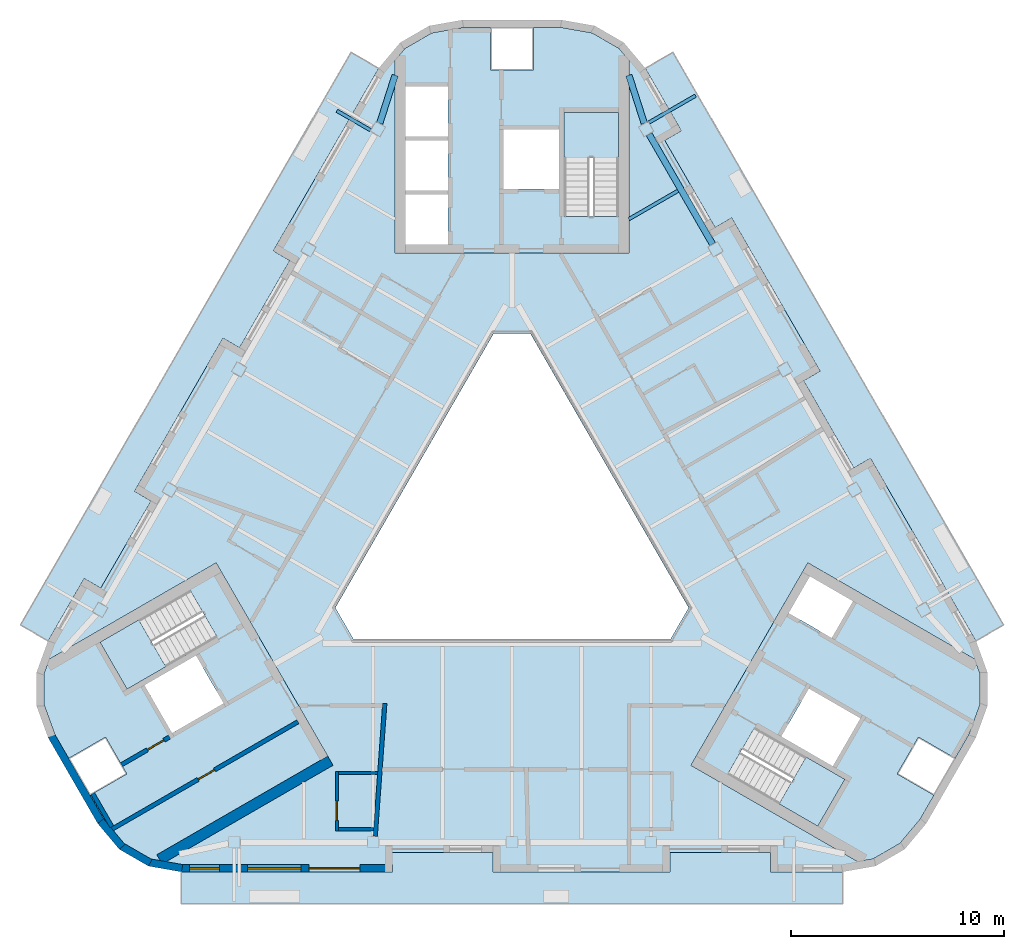
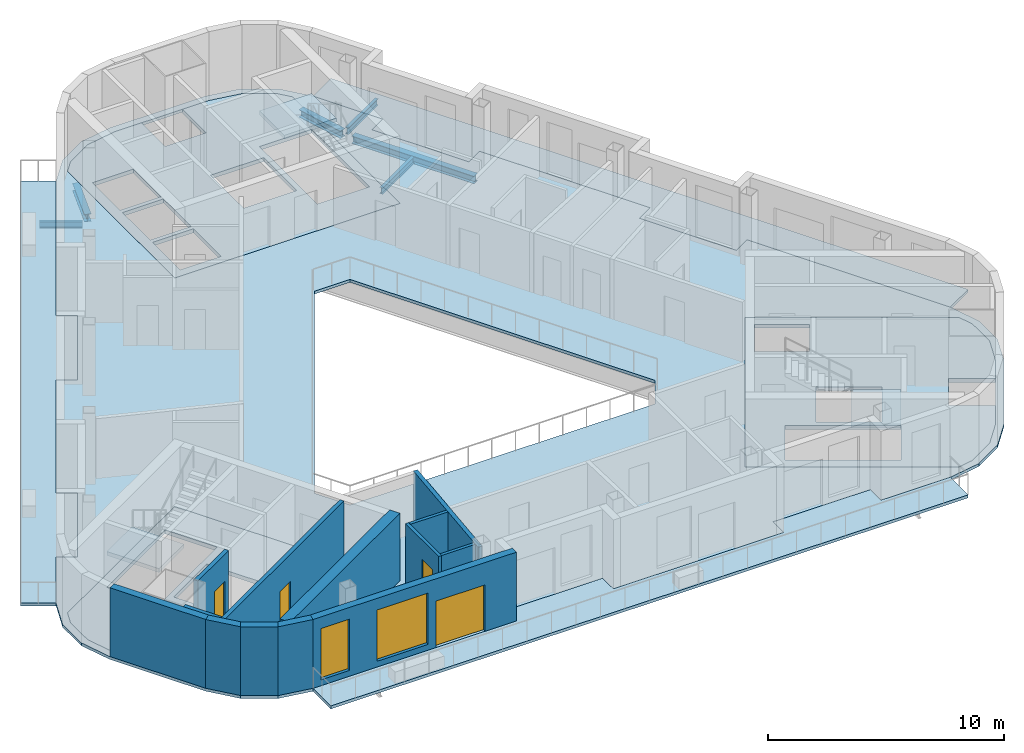
# One storey, part 2 of 11: 13 walls, 10 slabs, 6 beams, 4 doors, 2 windows, 6 openings, 3 elements without a shape of their own.
"""IFC4 building model written with IfcOpenShell, lengths in metres."""

from ifc_helpers import new_model, si_unit, direction, frame, frame_2d, origin, origin_2d, place, context, subcontext, project, spatial, polyline, rectangle, i_section, outline, extrude, material, layer, layer_set, material_profile, profile_set, type_object, element, fill, aggregate, save


model = new_model("IFC4")

# Units and contexts
model_context = context("Model", 3, precision=1e-05, world=origin(), true_north=direction((0.0, 1.0)))
body_context = subcontext(model_context, "Body", "Model", "MODEL_VIEW")
ifc_project = project(units=[si_unit("LENGTHUNIT", "METRE"), si_unit("AREAUNIT", "SQUARE_METRE"), si_unit("VOLUMEUNIT", "CUBIC_METRE"), si_unit("PLANEANGLEUNIT", "RADIAN"), si_unit("MASSUNIT", "GRAM", prefix="KILO")], contexts=[model_context])

# Site, building, storey
site_placement = place(None, origin())
site = spatial("IfcSite", under=ifc_project, at=site_placement, CompositionType="ELEMENT")
building_placement = place(site_placement, origin())
building = spatial("IfcBuilding", under=site, at=building_placement, Name="Apuvela Tower Hotel", CompositionType="ELEMENT")
storey_placement = place(building_placement, frame((0.0, 0.0, 317.0)))
storey = spatial("IfcBuildingStorey", under=building, at=storey_placement, Name="L79", CompositionType="ELEMENT", Elevation=317.0)

# Beams
ifc_material_1 = material(Name="Steel S355", Category="steel")
ifc_material_profile_1 = material_profile(ifc_material_1, i_section(OverallWidth=0.159912109375, OverallDepth=0.330078125, WebThickness=0.007568359375, FlangeThickness=0.011474609375, at=origin_2d()), Name="IPE 330")
ifc_profile_set_1 = profile_set([ifc_material_profile_1], Name="Steel S355")
beam_type_1 = type_object("IfcBeamType", Name="ENV-BALCONY-BEAM-IPE330", PredefinedType="BEAM", material=ifc_profile_set_1)
beam_1_placement = place(storey_placement, frame((6.448486328125, 19.035888671875, -0.31494140625), z_axis=(0.866039067339, 0.499976333282, 0.0), x_axis=(-0.499976333282, 0.866039067339, 0.0)))
element("IfcBeam", 1, at=beam_1_placement, inside=storey, type_object=beam_type_1, Name="Balcony cantilever beam NE3 L79", PredefinedType="BEAM", context=body_context, shape_type="SweptSolid", body=[
    extrude(i_section(OverallWidth=0.159912109375, OverallDepth=0.330078125, WebThickness=0.007568359375, FlangeThickness=0.011474609375, at=origin_2d()), origin(), (0.0, 0.0, 1.0), 2.52490234375),
])
beam_2_placement = place(storey_placement, frame((-6.658447265625, 18.672119140625, -0.31494140625), z_axis=(-0.866011828767, 0.500023511883, 0.0), x_axis=(-0.500023511883, -0.866011828767, 0.0)))
element("IfcBeam", 2, at=beam_2_placement, inside=storey, type_object=beam_type_1, Name="Balcony cantilever beam NW2 L79", PredefinedType="BEAM", context=body_context, shape_type="SweptSolid", body=[
    extrude(i_section(OverallWidth=0.159912109375, OverallDepth=0.330078125, WebThickness=0.007568359375, FlangeThickness=0.011474609375, at=origin_2d()), origin(), (0.0, 0.0, 1.0), 1.8251953125),
])
ifc_material_profile_2 = material_profile(ifc_material_1, i_section(OverallWidth=0.159912109375, OverallDepth=0.330078125, WebThickness=0.007568359375, FlangeThickness=0.011474609375, at=origin_2d()), Name="IPE 330")
ifc_profile_set_2 = profile_set([ifc_material_profile_2], Name="Steel S355")
beam_type_2 = type_object("IfcBeamType", Name="STR-B floor beam IPE 330", PredefinedType="BEAM", material=ifc_profile_set_2)
beam_3_placement = place(storey_placement, frame((7.81298828125, 15.822265625, -0.31494140625), z_axis=(-0.866018138487, -0.500012583653, 0.0), x_axis=(0.500012583653, -0.866018138487, 0.0)))
element("IfcBeam", 3, at=beam_3_placement, inside=storey, type_object=beam_type_2, Name="Floor beam B1 NE8", PredefinedType="BEAM", context=body_context, shape_type="SweptSolid", body=[
    extrude(i_section(OverallWidth=0.159912109375, OverallDepth=0.330078125, WebThickness=0.007568359375, FlangeThickness=0.011474609375, at=origin_2d()), origin(), (0.0, 0.0, 1.0), 2.6708984375),
])
ifc_material_profile_3 = material_profile(ifc_material_1, i_section(OverallWidth=0.300048828125, OverallDepth=0.389892578125, WebThickness=0.010986328125, FlangeThickness=0.01904296875, at=origin_2d()), Name="HE 400 A")
ifc_profile_set_3 = profile_set([ifc_material_profile_3], Name="Steel S355")
beam_type_3 = type_object("IfcBeamType", Name="STR-SB spandrel beam HE 400 A", PredefinedType="SPANDREL", material=ifc_profile_set_3)
beam_4_placement = place(storey_placement, frame((9.43798828125, 13.3076171875, -0.344970703125), z_axis=(-0.499985121587, 0.86603399367, 0.0), x_axis=(-0.86603399367, -0.499985121587, 0.0)))
element("IfcBeam", 4, at=beam_4_placement, inside=storey, type_object=beam_type_3, Name="Spandrel beam SB4 NE4", PredefinedType="SPANDREL", context=body_context, shape_type="SweptSolid", body=[
    extrude(i_section(OverallWidth=0.300048828125, OverallDepth=0.389892578125, WebThickness=0.010986328125, FlangeThickness=0.01904296875, at=origin_2d()), origin(), (0.0, 0.0, 1.0), 5.980712890625),
])
for number, where, z_axis, x_axis, name in (
    (5, (6.224609375, 18.9931640625, -0.344970703125), (-0.304775727104, 0.952424147199, 0.0), (-0.952424147199, -0.304775727104, 0.0), "Spandrel beam SB4 NE5-N"),
    (6, (-6.224609375, 18.9931640625, -0.344970703125), (0.304775727104, 0.952424147199, 0.0), (-0.952424147199, 0.304775727104, 0.0), "Spandrel beam SB4 NW1-N"),
):
    element("IfcBeam", number, at=place(storey_placement, frame(where, z_axis=z_axis, x_axis=x_axis)), inside=storey, type_object=beam_type_3, Name=name, PredefinedType="SPANDREL", context=body_context, shape_type="SweptSolid", body=[
        extrude(i_section(OverallWidth=0.300048828125, OverallDepth=0.389892578125, WebThickness=0.010986328125, FlangeThickness=0.01904296875, at=origin_2d()), origin(), (0.0, 0.0, 1.0), 2.37744140625),
    ])

# Slabs
ifc_material_2 = material(Name="Concrete C50/60", Category="concrete")
ifc_layer_1 = layer(ifc_material_2, 0.199951171875)
ifc_layer_set_1 = layer_set([ifc_layer_1], Name="COR-FLOOR-200")
slab_type_1 = type_object("IfcSlabType", Name="COR-FLOOR-200", PredefinedType="FLOOR", material=ifc_layer_set_1)
slab_1_placement = place(storey_placement, frame((0.0, 0.0, -0.199951171875)))
element("IfcSlab", 7, at=slab_1_placement, inside=storey, type_object=slab_type_1, Name="Core floor N", PredefinedType="FLOOR", context=body_context, shape_type="SweptSolid", body=[
    extrude(outline(polyline([(5.5, 21.96484375), (5.03271484375, 22.521484375), (3.772216796875, 23.24951171875), (2.30810546875, 23.507568359375), (1.0, 23.507568359375), (1.0, 21.507568359375), (-1.0, 21.507568359375), (-1.0, 23.507568359375), (-2.30810546875, 23.507568359375), (-3.772216796875, 23.24951171875), (-5.03271484375, 22.521484375), (-5.5, 21.96484375), (-5.5, 12.89990234375), (5.5, 12.89990234375), (5.5, 21.96484375)]), holes=[polyline([(-3.0, 13.300048828125), (-5.0, 13.300048828125), (-5.0, 15.639892578125), (-3.0, 15.639892578125), (-3.0, 13.300048828125)]), polyline([(-3.0, 15.840087890625), (-5.0, 15.840087890625), (-5.0, 18.179931640625), (-3.0, 18.179931640625), (-3.0, 15.840087890625)]), polyline([(5.0, 14.60595703125), (2.449951171875, 14.60595703125), (2.449951171875, 19.5), (5.0, 19.5), (5.0, 14.60595703125)]), polyline([(2.199951171875, 18.699951171875), (2.199951171875, 15.89990234375), (-0.39990234375, 15.89990234375), (-0.39990234375, 18.699951171875), (2.199951171875, 18.699951171875)]), polyline([(-3.0, 20.719970703125), (-3.0, 18.3798828125), (-5.0, 18.3798828125), (-5.0, 20.719970703125), (-3.0, 20.719970703125)])]), origin(), (0.0, 0.0, 1.0), 0.199951171875),
])
slab_2_placement = place(storey_placement, frame((0.0, 0.0, -0.199951171875)))
element("IfcSlab", 8, at=slab_2_placement, inside=storey, type_object=slab_type_1, Name="Core floor SW", PredefinedType="FLOOR", context=body_context, shape_type="SweptSolid", body=[
    extrude(outline(polyline([(-21.772216796875, -6.21923828125), (-22.020751953125, -6.90234375), (-22.020751953125, -8.35791015625), (-21.51220703125, -9.7548828125), (-20.858154296875, -10.8876953125), (-19.126220703125, -9.8876953125), (-18.126220703125, -11.619873046875), (-19.858154296875, -12.619873046875), (-19.2041015625, -13.752685546875), (-18.24853515625, -14.8916015625), (-16.98779296875, -15.619384765625), (-16.272216796875, -15.74560546875), (-8.421630859375, -11.213134765625), (-13.921630859375, -1.68701171875), (-21.772216796875, -6.21923828125)]), holes=[polyline([(-13.874267578125, -5.18115234375), (-18.112548828125, -7.628173828125), (-19.387451171875, -5.419921875), (-15.149169921875, -2.972900390625), (-13.874267578125, -5.18115234375)]), polyline([(-13.56982421875, -8.29638671875), (-15.99462890625, -9.6962890625), (-17.294677734375, -7.444580078125), (-14.869873046875, -6.044677734375), (-13.56982421875, -8.29638671875)])]), origin(), (0.0, 0.0, 1.0), 0.199951171875),
])
slab_3_placement = place(storey_placement, frame((0.0, 0.0, -0.199951171875)))
element("IfcSlab", 9, at=slab_3_placement, inside=storey, type_object=slab_type_1, Name="Core floor SE", PredefinedType="FLOOR", context=body_context, shape_type="SweptSolid", body=[
    extrude(outline(polyline([(16.272216796875, -15.74560546875), (16.98779296875, -15.619384765625), (18.24853515625, -14.8916015625), (19.2041015625, -13.752685546875), (19.858154296875, -12.619873046875), (18.126220703125, -11.619873046875), (19.126220703125, -9.8876953125), (20.858154296875, -10.8876953125), (21.51220703125, -9.7548828125), (22.020751953125, -8.35791015625), (22.020751953125, -6.90234375), (21.772216796875, -6.21923828125), (13.921630859375, -1.68701171875), (8.421630859375, -11.213134765625), (16.272216796875, -15.74560546875)]), holes=[polyline([(14.01806640625, -2.31982421875), (16.044677734375, -3.489990234375), (15.044677734375, -5.221923828125), (13.01806640625, -4.052001953125), (14.01806640625, -2.31982421875)]), polyline([(10.149169921875, -11.633056640625), (11.42431640625, -9.4248046875), (15.66259765625, -11.871826171875), (14.387451171875, -14.080078125), (10.149169921875, -11.633056640625)]), polyline([(12.669921875, -9.855224609375), (13.9697265625, -7.603515625), (16.394775390625, -9.003662109375), (15.0947265625, -11.25537109375), (12.669921875, -9.855224609375)])]), origin(), (0.0, 0.0, 1.0), 0.199951171875),
])

# Stair, slab
stair_type = type_object("IfcStairType", Name="COR-STAIR-22R", PredefinedType="HALF_TURN_STAIR", material=ifc_material_2)
stair_1_placement = place(storey_placement, origin())
stair_1 = element("IfcStair", 10, at=stair_1_placement, inside=storey, type_object=stair_type, Name="L79 Exit stair ST1", PredefinedType="HALF_TURN_STAIR")
ifc_layer_2 = layer(ifc_material_2, 0.199951171875)
ifc_layer_set_2 = layer_set([ifc_layer_2], Name="COR-LANDING-200")
slab_type_2 = type_object("IfcSlabType", Name="COR-LANDING-200", PredefinedType="LANDING", material=ifc_layer_set_2)
slab_4_placement = place(storey_placement, frame((0.0, 0.0, 1.64990234375)))
slab_4 = element("IfcSlab", 11, at=slab_4_placement, type_object=slab_type_2, Name="ST1 landing 1", PredefinedType="LANDING", context=body_context, shape_type="SweptSolid", body=[
    extrude(outline(polyline([(5.0, 17.39404296875), (5.0, 19.5), (2.449951171875, 19.5), (2.449951171875, 17.39404296875), (5.0, 17.39404296875)])), origin(), (0.0, 0.0, 1.0), 0.2001953125),
])
aggregate(stair_1, [slab_4])

stair_2_placement = place(storey_placement, origin())
stair_2 = element("IfcStair", 12, at=stair_2_placement, inside=storey, type_object=stair_type, Name="L79 Exit stair ST2", PredefinedType="HALF_TURN_STAIR")
slab_5_placement = place(storey_placement, frame((0.0, 0.0, 1.64990234375)))
slab_5 = element("IfcSlab", 13, at=slab_5_placement, type_object=slab_type_2, Name="ST2 landing 1", PredefinedType="LANDING", context=body_context, shape_type="SweptSolid", body=[
    extrude(outline(polyline([(-17.563720703125, -4.366943359375), (-19.387451171875, -5.419921875), (-18.112548828125, -7.628173828125), (-16.28857421875, -6.5751953125), (-17.563720703125, -4.366943359375)])), origin(), (0.0, 0.0, 1.0), 0.2001953125),
])
aggregate(stair_2, [slab_5])

stair_3_placement = place(storey_placement, origin())
stair_3 = element("IfcStair", 14, at=stair_3_placement, inside=storey, type_object=stair_type, Name="L79 Exit stair ST3", PredefinedType="HALF_TURN_STAIR")
slab_6_placement = place(storey_placement, frame((0.0, 0.0, 1.64990234375)))
slab_6 = element("IfcSlab", 15, at=slab_6_placement, type_object=slab_type_2, Name="ST3 landing 1", PredefinedType="LANDING", context=body_context, shape_type="SweptSolid", body=[
    extrude(outline(polyline([(12.563720703125, -13.027099609375), (14.387451171875, -14.080078125), (15.66259765625, -11.871826171875), (13.838623046875, -10.81884765625), (12.563720703125, -13.027099609375)])), origin(), (0.0, 0.0, 1.0), 0.2001953125),
])
aggregate(stair_3, [slab_6])

# Slabs
ifc_material_3 = material(Name="Concrete C40/50, fair-faced", Category="concrete")
ifc_layer_3 = layer(ifc_material_3, 0.14990234375)
ifc_layer_set_3 = layer_set([ifc_layer_3], Name="ENV-BALCONY-150")
slab_type_3 = type_object("IfcSlabType", Name="ENV-BALCONY-150", PredefinedType="FLOOR", material=ifc_layer_set_3)
slab_7_placement = place(storey_placement, frame((0.0, 0.0, -0.14990234375)))
element("IfcSlab", 16, at=slab_7_placement, inside=storey, type_object=slab_type_3, Name="Balcony slab S L79", PredefinedType="FLOOR", context=body_context, shape_type="SweptSolid", body=[
    extrude(outline(polyline([(15.5595703125, -17.732421875), (-15.559326171875, -17.732421875), (-15.559326171875, -16.222412109375), (-5.635498046875, -16.222412109375), (-5.635498046875, -15.322509765625), (-0.89501953125, -15.322509765625), (-0.89501953125, -16.222412109375), (7.42578125, -16.222412109375), (7.42578125, -15.322509765625), (12.16650390625, -15.322509765625), (12.16650390625, -16.222412109375), (15.5595703125, -16.222412109375), (15.5595703125, -17.732421875)])), origin(), (0.0, 0.0, 1.0), 0.14990234375),
])
slab_8_placement = place(storey_placement, frame((0.0, 0.0, -0.14990234375)))
element("IfcSlab", 17, at=slab_8_placement, inside=storey, type_object=slab_type_3, Name="Balcony slab NE L79", PredefinedType="FLOOR", context=body_context, shape_type="SweptSolid", body=[
    extrude(outline(polyline([(14.49658203125, 7.336181640625), (10.336181640625, 14.5419921875), (9.556884765625, 14.092041015625), (7.1865234375, 18.197509765625), (7.9658203125, 18.647705078125), (6.269287109375, 21.586181640625), (7.576904296875, 22.341064453125), (23.136474609375, -4.608642578125), (21.828857421875, -5.363525390625), (16.866943359375, 3.230712890625), (16.08740234375, 2.780517578125), (13.71728515625, 6.885986328125), (14.49658203125, 7.336181640625)])), origin(), (0.0, 0.0, 1.0), 0.14990234375),
])
slab_9_placement = place(storey_placement, frame((0.0, 0.0, -0.14990234375)))
element("IfcSlab", 18, at=slab_9_placement, inside=storey, type_object=slab_type_3, Name="Balcony slab NW L79", PredefinedType="FLOOR", context=body_context, shape_type="SweptSolid", body=[
    extrude(outline(polyline([(-23.136474609375, -4.608642578125), (-7.5771484375, 22.341064453125), (-6.269287109375, 21.586181640625), (-11.231201171875, 12.99169921875), (-10.451904296875, 12.541748046875), (-12.822021484375, 8.436279296875), (-13.6015625, 8.886474609375), (-17.761962890625, 1.680419921875), (-16.982421875, 1.23046875), (-19.352783203125, -2.875244140625), (-20.13232421875, -2.42529296875), (-21.828857421875, -5.36376953125), (-23.136474609375, -4.608642578125)])), origin(), (0.0, 0.0, 1.0), 0.14990234375),
])
ifc_material_4 = material(Name="Concrete C35/45", Category="concrete")
ifc_layer_4 = layer(ifc_material_4, 0.14990234375)
ifc_layer_set_4 = layer_set([ifc_layer_4], Name="STR-SLAB 150 floor Concrete C35/45")
slab_type_4 = type_object("IfcSlabType", Name="STR-SLAB 150 floor Concrete C35/45", PredefinedType="FLOOR", material=ifc_layer_set_4)
slab_10_placement = place(storey_placement, frame((0.0, 0.0, -0.14990234375)))
element("IfcSlab", 19, at=slab_10_placement, inside=storey, type_object=slab_type_4, Name="Floor slab S4 L79", PredefinedType="FLOOR", context=body_context, shape_type="SweptSolid", body=[
    extrude(outline(polyline([(-5.26123046875, 22.7939453125), (-3.893798828125, 23.58349609375), (-2.338623046875, 23.857666015625), (2.338623046875, 23.857666015625), (3.893798828125, 23.58349609375), (5.26123046875, 22.7939453125), (6.276123046875, 21.584228515625), (7.97265625, 18.645751953125), (7.193359375, 18.19580078125), (9.55859375, 14.098876953125), (10.338134765625, 14.548828125), (14.50341796875, 7.334228515625), (13.72412109375, 6.88427734375), (16.08935546875, 2.78759765625), (16.86865234375, 3.237548828125), (21.83056640625, -5.356689453125), (22.37060546875, -6.840576171875), (22.37060546875, -8.419677734375), (21.83056640625, -9.903564453125), (19.491943359375, -13.9541015625), (18.47705078125, -15.163818359375), (17.109619140625, -15.953369140625), (15.554443359375, -16.2275390625), (12.161376953125, -16.2275390625), (12.161376953125, -15.327392578125), (7.4306640625, -15.327392578125), (7.4306640625, -16.2275390625), (-0.89990234375, -16.2275390625), (-0.89990234375, -15.327392578125), (-5.630615234375, -15.327392578125), (-5.630615234375, -16.2275390625), (-15.554443359375, -16.2275390625), (-17.109619140625, -15.953369140625), (-18.47705078125, -15.163818359375), (-19.491943359375, -13.9541015625), (-21.83056640625, -9.903564453125), (-22.37060546875, -8.419677734375), (-22.37060546875, -6.840576171875), (-21.83056640625, -5.356689453125), (-20.134033203125, -2.418212890625), (-19.354736328125, -2.868408203125), (-16.9892578125, 1.228515625), (-17.768798828125, 1.6787109375), (-13.603515625, 8.893310546875), (-12.823974609375, 8.443115234375), (-10.458740234375, 12.5400390625), (-11.238037109375, 12.989990234375), (-6.276123046875, 21.584228515625), (-5.26123046875, 22.7939453125)]), holes=[polyline([(0.865966796875, 9.10009765625), (-0.865966796875, 9.10009765625), (-8.313720703125, -3.800048828125), (-7.44775390625, -5.300048828125), (7.44775390625, -5.300048828125), (8.313720703125, -3.800048828125), (0.865966796875, 9.10009765625)]), polyline([(-5.5, 12.89990234375), (-5.5, 21.96484375), (-5.03271484375, 22.521484375), (-3.772216796875, 23.24951171875), (-2.30810546875, 23.507568359375), (2.30810546875, 23.507568359375), (3.772216796875, 23.24951171875), (5.03271484375, 22.521484375), (5.5, 21.96484375), (5.5, 12.89990234375), (-5.5, 12.89990234375)]), polyline([(-8.421630859375, -11.213134765625), (-16.272216796875, -15.74560546875), (-16.98779296875, -15.619384765625), (-18.24853515625, -14.8916015625), (-19.2041015625, -13.752685546875), (-21.51220703125, -9.7548828125), (-22.020751953125, -8.35791015625), (-22.020751953125, -6.90234375), (-21.772216796875, -6.21923828125), (-13.921630859375, -1.68701171875), (-8.421630859375, -11.213134765625)]), polyline([(13.921630859375, -1.68701171875), (21.772216796875, -6.21923828125), (22.020751953125, -6.90234375), (22.020751953125, -8.35791015625), (21.51220703125, -9.7548828125), (19.2041015625, -13.752685546875), (18.24853515625, -14.8916015625), (16.98779296875, -15.619384765625), (16.272216796875, -15.74560546875), (8.421630859375, -11.213134765625), (13.921630859375, -1.68701171875)])]), origin(), (0.0, 0.0, 1.0), 0.14990234375),
])

# Wall
ifc_layer_5 = layer(ifc_material_2, 0.5)
ifc_layer_set_5 = layer_set([ifc_layer_5], Name="COR-WALL-CORE-500")
wall_type_1 = type_object("IfcWallType", Name="COR-WALL-CORE-500", PredefinedType="SHEAR", material=ifc_layer_set_5)
wall_1_placement = place(storey_placement, frame((-8.546630859375, -10.99658203125, 0.0), z_axis=(0.0, 0.0, 1.0), x_axis=(-0.866025286072, -0.500000203884, 0.0)))
element("IfcWall", 20, at=wall_1_placement, inside=storey, type_object=wall_type_1, Name="Core wall SW", PredefinedType="SHEAR", context=body_context, shape_type="SweptSolid", body=[
    extrude(rectangle(XDim=9.28271484375, YDim=0.5, at=frame_2d((4.641357421875, 0.0))), origin(), (0.0, 0.0, 1.0), 3.5),
])

# Wall, opening, door
ifc_layer_6 = layer(ifc_material_2, 0.199951171875)
ifc_layer_set_6 = layer_set([ifc_layer_6], Name="COR-WALL-SHAFT-200")
wall_type_2 = type_object("IfcWallType", Name="COR-WALL-SHAFT-200", PredefinedType="SHEAR", material=ifc_layer_set_6)
wall_2_placement = place(storey_placement, frame((-10.068115234375, -9.16162109375, 0.0), z_axis=(0.0, 0.0, 1.0), x_axis=(-0.866030125237, -0.499991822116, 0.0)))
wall_2 = element("IfcWall", 21, at=wall_2_placement, inside=storey, type_object=wall_type_2, Name="Shaft wall SW", PredefinedType="SHEAR", context=body_context, shape_type="SweptSolid", body=[
    extrude(rectangle(XDim=10.120849609375, YDim=0.199951171875, at=frame_2d((5.060546875, 0.0))), origin(), (0.0, 0.0, 1.0), 3.5),
])
opening_1_placement = place(wall_2_placement, frame((4.530029296875, 0.0, 0.0)))
opening_1 = element("IfcOpeningElement", 22, at=opening_1_placement, cuts=wall_2, Name="Opening W-RE1", PredefinedType="OPENING", context=body_context, shape_type="SweptSolid", body=[
    extrude(rectangle(XDim=0.89990234375, YDim=2.10009765625, at=frame_2d((0.449951171875, 1.050048828125))), frame((0.0, 0.10986328125, 0.0), z_axis=(0.0, -1.0, 0.0), x_axis=(1.0, 0.0, 0.0)), (0.0, 0.0, 1.0), 0.219970703125),
])
ifc_material_5 = material(Name="Steel fire door, powder coated", Category="steel")
door_type_1 = type_object("IfcDoorType", Name="COR-DR-900", OperationType="NOTDEFINED", PredefinedType="DOOR", material=ifc_material_5)
door_1_placement = place(opening_1_placement, origin())
door_1 = element("IfcDoor", 23, at=door_1_placement, inside=storey, type_object=door_type_1, Name="Store door W-RE1", OperationType="SINGLE_SWING_LEFT", OverallHeight=2.10009765625, OverallWidth=0.89990234375, PredefinedType="DOOR", context=body_context, shape_type="SweptSolid", body=[
    extrude(rectangle(XDim=0.89990234375, YDim=2.10009765625, at=frame_2d((0.449951171875, 1.050048828125))), frame((0.0, 0.02490234375, 0.0), z_axis=(0.0, -1.0, 0.0), x_axis=(1.0, 0.0, 0.0)), (0.0, 0.0, 1.0), 0.050048828125),
])
fill(opening_1, door_1)

# Wall
wall_3_placement = place(storey_placement, frame((-19.73046875, -12.5458984375, 0.0), z_axis=(0.0, 0.0, 1.0), x_axis=(0.500004188491, -0.866022985545, 0.0)))
element("IfcWall", 24, at=wall_3_placement, inside=storey, type_object=wall_type_2, Name="Shaft wall SW", PredefinedType="SHEAR", context=body_context, shape_type="SweptSolid", body=[
    extrude(rectangle(XDim=1.80029296875, YDim=0.199951171875, at=frame_2d((0.900146484375, 0.0))), origin(), (0.0, 0.0, 1.0), 3.5),
])

# Wall, opening, door
wall_4_placement = place(storey_placement, frame((-16.117919921875, -9.883056640625, 0.0), z_axis=(0.0, 0.0, 1.0), x_axis=(-0.866045268016, -0.499965592563, 0.0)))
wall_4 = element("IfcWall", 25, at=wall_4_placement, inside=storey, type_object=wall_type_2, Name="Shaft wall SW", PredefinedType="SHEAR", context=body_context, shape_type="SweptSolid", body=[
    extrude(rectangle(XDim=2.607666015625, YDim=0.199951171875, at=frame_2d((1.3037109375, 0.0))), origin(), (0.0, 0.0, 1.0), 3.5),
])
opening_2_placement = place(wall_4_placement, frame((0.300048828125, 0.0, 0.0)))
opening_2 = element("IfcOpeningElement", 26, at=opening_2_placement, cuts=wall_4, Name="Opening W-RDU", PredefinedType="OPENING", context=body_context, shape_type="SweptSolid", body=[
    extrude(rectangle(XDim=0.89990234375, YDim=2.10009765625, at=frame_2d((0.449951171875, 1.050048828125))), frame((0.0, 0.10986328125, 0.0), z_axis=(0.0, -1.0, 0.0), x_axis=(1.0, 0.0, 0.0)), (0.0, 0.0, 1.0), 0.219970703125),
])
door_2_placement = place(opening_2_placement, frame((0.89990234375, 0.0, 0.0), z_axis=(0.0, 0.0, 1.0), x_axis=(-1.0, 0.0, 0.0)))
door_2 = element("IfcDoor", 27, at=door_2_placement, inside=storey, type_object=door_type_1, Name="Store door W-RDU", OperationType="SINGLE_SWING_LEFT", OverallHeight=2.10009765625, OverallWidth=0.89990234375, PredefinedType="DOOR", context=body_context, shape_type="SweptSolid", body=[
    extrude(rectangle(XDim=0.89990234375, YDim=2.10009765625, at=frame_2d((0.449951171875, 1.050048828125))), frame((0.0, 0.02490234375, 0.0), z_axis=(0.0, -1.0, 0.0), x_axis=(1.0, 0.0, 0.0)), (0.0, 0.0, 1.0), 0.050048828125),
])
fill(opening_2, door_2)

# Walls
ifc_material_6 = material(Name="Concrete C40/50, dark pigmented precast panel", Category="concrete")
ifc_layer_7 = layer(ifc_material_6, 0.35009765625)
ifc_layer_set_7 = layer_set([ifc_layer_7], Name="ENV-WALL-350")
wall_type_3 = type_object("IfcWallType", Name="ENV-WALL-350", PredefinedType="SOLIDWALL", material=ifc_layer_set_7)
wall_5_placement = place(storey_placement, frame((-21.67919921875, -9.81591796875, 0.0), z_axis=(0.0, 0.0, 1.0), x_axis=(0.500023656998, -0.86601174498, 0.0)))
element("IfcWall", 28, at=wall_5_placement, inside=storey, type_object=wall_type_3, Name="External wall L79-13", PredefinedType="SOLIDWALL", context=body_context, shape_type="SweptSolid", body=[
    extrude(rectangle(XDim=4.677490234375, YDim=0.35009765625, at=frame_2d((2.3388671875, 0.0))), origin(), (0.0, 0.0, 1.0), 3.550048828125),
])
for number, where, z_axis, x_axis, name in (
    (29, (-19.35791015625, -13.841552734375, 0.0), (0.0, 0.0, 1.0), (0.642720587594, -0.766100676336, 0.0), "External wall L79-14"),
    (30, (-18.389404296875, -15.01220703125, 0.0), (0.0, 0.0, 1.0), (0.866007919525, -0.500030282404, 0.0), "External wall L79-15"),
    (31, (-17.0791015625, -15.781005859375, 0.0), (0.0, 0.0, 1.0), (0.984813116036, -0.173617759703, 0.0), "External wall L79-16"),
):
    element("IfcWall", number, at=place(storey_placement, frame(where, z_axis=z_axis, x_axis=x_axis)), inside=storey, type_object=wall_type_3, Name=name, PredefinedType="SOLIDWALL", context=body_context, shape_type="SweptSolid", body=[
        extrude(rectangle(XDim=1.5791015625, YDim=0.35009765625, at=frame_2d((0.78955078125, 0.0))), origin(), (0.0, 0.0, 1.0), 3.550048828125),
    ])

# Wall, openings, door, windows
wall_6_placement = place(storey_placement, frame((-15.554443359375, -16.052490234375, 0.0), z_axis=(0.0, 0.0, 1.0), x_axis=(1.0, 0.0, 0.0)))
wall_6 = element("IfcWall", 32, at=wall_6_placement, inside=storey, type_object=wall_type_3, Name="External wall L79-17", PredefinedType="SOLIDWALL", context=body_context, shape_type="SweptSolid", body=[
    extrude(rectangle(XDim=9.923828125, YDim=0.35009765625, at=frame_2d((4.9619140625, 0.0))), origin(), (0.0, 0.0, 1.0), 3.550048828125),
])
opening_3_placement = place(wall_6_placement, frame((0.381103515625, 0.0, 0.300048828125)))
opening_3 = element("IfcOpeningElement", 33, at=opening_3_placement, cuts=wall_6, Name="Opening WN14", PredefinedType="OPENING", context=body_context, shape_type="SweptSolid", body=[
    extrude(rectangle(XDim=1.39990234375, YDim=2.64990234375, at=frame_2d((0.699951171875, 1.324951171875))), frame((0.0, 0.18505859375, 0.0), z_axis=(0.0, -1.0, 0.0), x_axis=(1.0, 0.0, 0.0)), (0.0, 0.0, 1.0), 0.3701171875),
])
opening_4_placement = place(wall_6_placement, frame((5.998779296875, 0.0, 0.0)))
opening_4 = element("IfcOpeningElement", 34, at=opening_4_placement, cuts=wall_6, Name="Opening BD24", PredefinedType="OPENING", context=body_context, shape_type="SweptSolid", body=[
    extrude(rectangle(XDim=2.39990234375, YDim=2.39990234375, at=frame_2d((1.199951171875, 1.199951171875))), frame((0.0, 0.18505859375, 0.0), z_axis=(0.0, -1.0, 0.0), x_axis=(1.0, 0.0, 0.0)), (0.0, 0.0, 1.0), 0.3701171875),
])
opening_5_placement = place(wall_6_placement, frame((3.118408203125, 0.0, 0.300048828125)))
opening_5 = element("IfcOpeningElement", 35, at=opening_5_placement, cuts=wall_6, Name="Opening WN25", PredefinedType="OPENING", context=body_context, shape_type="SweptSolid", body=[
    extrude(rectangle(XDim=2.5, YDim=2.64990234375, at=frame_2d((1.25, 1.324951171875))), frame((0.0, 0.18505859375, 0.0), z_axis=(0.0, -1.0, 0.0), x_axis=(1.0, 0.0, 0.0)), (0.0, 0.0, 1.0), 0.3701171875),
])
ifc_material_7 = material(Name="Aluminium 6063-T6, dark bronze anodised frame with dark tinted laminated glass", Category="aluminium")
door_type_2 = type_object("IfcDoorType", Name="ENV-DOOR-BALCONY-2400x2400", OperationType="SLIDING_TO_LEFT", PredefinedType="DOOR", material=ifc_material_7)
door_3_placement = place(opening_4_placement, frame((2.39990234375, 0.0, 0.0), z_axis=(0.0, 0.0, 1.0), x_axis=(-1.0, 0.0, 0.0)))
door_3 = element("IfcDoor", 36, at=door_3_placement, inside=storey, type_object=door_type_2, Name="Balcony door BD24", OperationType="SLIDING_TO_LEFT", OverallHeight=2.39990234375, OverallWidth=2.39990234375, PredefinedType="DOOR", context=body_context, shape_type="SweptSolid", body=[
    extrude(rectangle(XDim=2.39990234375, YDim=2.39990234375, at=frame_2d((1.199951171875, 1.199951171875))), frame((0.0, 0.02490234375, 0.0), z_axis=(0.0, -1.0, 0.0), x_axis=(1.0, 0.0, 0.0)), (0.0, 0.0, 1.0), 0.050048828125),
])
fill(opening_4, door_3)
ifc_material_8 = material(Name="Glass, dark tinted laminated insulated glazing unit", Category="glass")
window_type_1 = type_object("IfcWindowType", Name="ENV-WIN-1400x2650", PartitioningType="SINGLE_PANEL", PredefinedType="WINDOW", material=ifc_material_8)
window_1_placement = place(opening_3_placement, origin())
window_1 = element("IfcWindow", 37, at=window_1_placement, inside=storey, type_object=window_type_1, Name="Window WN14", OverallHeight=2.64990234375, OverallWidth=1.39990234375, PartitioningType="SINGLE_PANEL", PredefinedType="WINDOW", context=body_context, shape_type="SweptSolid", body=[
    extrude(rectangle(XDim=1.39990234375, YDim=2.64990234375, at=frame_2d((0.699951171875, 1.324951171875))), frame((0.0, 0.030029296875, 0.0), z_axis=(0.0, -1.0, 0.0), x_axis=(1.0, 0.0, 0.0)), (0.0, 0.0, 1.0), 0.06005859375),
])
fill(opening_3, window_1)
window_type_2 = type_object("IfcWindowType", Name="ENV-WIN-2500x2650", PartitioningType="SINGLE_PANEL", PredefinedType="WINDOW", material=ifc_material_8)
window_2_placement = place(opening_5_placement, origin())
window_2 = element("IfcWindow", 38, at=window_2_placement, inside=storey, type_object=window_type_2, Name="Window WN25", OverallHeight=2.64990234375, OverallWidth=2.5, PartitioningType="SINGLE_PANEL", PredefinedType="WINDOW", context=body_context, shape_type="SweptSolid", body=[
    extrude(rectangle(XDim=2.5, YDim=2.64990234375, at=frame_2d((1.25, 1.324951171875))), frame((0.0, 0.030029296875, 0.0), z_axis=(0.0, -1.0, 0.0), x_axis=(1.0, 0.0, 0.0)), (0.0, 0.0, 1.0), 0.06005859375),
])
fill(opening_5, window_2)

# Wall
ifc_material_9 = material(Name="Gypsum board partition on twin steel stud", Category="steel")
ifc_layer_8 = layer(ifc_material_9, 0.199951171875)
ifc_layer_set_8 = layer_set([ifc_layer_8], Name="GST-PW1")
wall_type_4 = type_object("IfcWallType", Name="GST-PW1", PredefinedType="PARTITIONING", material=ifc_layer_set_8)
wall_7_placement = place(storey_placement, frame((-6.435302734375, -14.552490234375, 0.0), z_axis=(0.0, 0.0, 1.0), x_axis=(0.071739706377, 0.997423387799, 0.0)))
element("IfcWall", 39, at=wall_7_placement, inside=storey, type_object=wall_type_4, Name="L79 partition 01", PredefinedType="PARTITIONING", context=body_context, shape_type="SweptSolid", body=[
    extrude(rectangle(XDim=6.2685546875, YDim=0.199951171875, at=frame_2d((3.13427734375, 0.0))), origin(), (0.0, 0.0, 1.0), 3.10009765625),
])

# Wall, opening, door
ifc_material_10 = material(Name="Moisture-resistant gypsum board wet wall on steel stud", Category="steel")
ifc_layer_9 = layer(ifc_material_10, 0.14990234375)
ifc_layer_set_9 = layer_set([ifc_layer_9], Name="GST-PW3")
wall_type_5 = type_object("IfcWallType", Name="GST-PW3", PredefinedType="PARTITIONING", material=ifc_layer_set_9)
wall_8_placement = place(storey_placement, frame((-8.2412109375, -11.5, 0.0), z_axis=(0.0, 0.0, 1.0), x_axis=(0.0, -1.0, 0.0)))
wall_8 = element("IfcWall", 40, at=wall_8_placement, inside=storey, type_object=wall_type_5, Name="L79 partition 10", PredefinedType="PARTITIONING", context=body_context, shape_type="SweptSolid", body=[
    extrude(rectangle(XDim=2.800048828125, YDim=0.14990234375, at=frame_2d((1.39990234375, 0.0))), origin(), (0.0, 0.0, 1.0), 3.10009765625),
])
opening_6_placement = place(wall_8_placement, frame((1.39990234375, 0.0, 0.0)))
opening_6 = element("IfcOpeningElement", 41, at=opening_6_placement, cuts=wall_8, Name="Opening GD33-01", PredefinedType="OPENING", context=body_context, shape_type="SweptSolid", body=[
    extrude(rectangle(XDim=0.89990234375, YDim=2.10009765625, at=frame_2d((0.449951171875, 1.050048828125))), frame((0.0, 0.0849609375, 0.0), z_axis=(0.0, -1.0, 0.0), x_axis=(1.0, 0.0, 0.0)), (0.0, 0.0, 1.0), 0.169921875),
])
ifc_material_11 = material(Name="Timber door leaf in steel frame", Category="steel")
door_type_3 = type_object("IfcDoorType", Name="GST-D2", OperationType="NOTDEFINED", PredefinedType="DOOR", material=ifc_material_11)
door_4_placement = place(opening_6_placement, origin())
door_4 = element("IfcDoor", 42, at=door_4_placement, inside=storey, type_object=door_type_3, Name="Door L79-01", OperationType="SINGLE_SWING_RIGHT", OverallHeight=2.10009765625, OverallWidth=0.89990234375, PredefinedType="DOOR", context=body_context, shape_type="SweptSolid", body=[
    extrude(rectangle(XDim=0.89990234375, YDim=2.10009765625, at=frame_2d((0.449951171875, 1.050048828125))), frame((0.0, 0.02490234375, 0.0), z_axis=(0.0, -1.0, 0.0), x_axis=(1.0, 0.0, 0.0)), (0.0, 0.0, 1.0), 0.050048828125),
])
fill(opening_6, door_4)

# Walls
wall_9_placement = place(storey_placement, frame((-8.166015625, -14.22509765625, 0.0), z_axis=(0.0, 0.0, 1.0), x_axis=(1.0, 0.0, 0.0)))
element("IfcWall", 43, at=wall_9_placement, inside=storey, type_object=wall_type_5, Name="L79 partition 11", PredefinedType="PARTITIONING", context=body_context, shape_type="SweptSolid", body=[
    extrude(rectangle(XDim=1.65380859375, YDim=0.14990234375, at=frame_2d((0.826904296875, 0.0))), origin(), (0.0, 0.0, 1.0), 3.10009765625),
])
wall_10_placement = place(storey_placement, frame((-8.166015625, -11.574951171875, 0.0), z_axis=(0.0, 0.0, 1.0), x_axis=(1.0, 0.0, 0.0)))
element("IfcWall", 44, at=wall_10_placement, inside=storey, type_object=wall_type_5, Name="L79 partition 12", PredefinedType="PARTITIONING", context=body_context, shape_type="SweptSolid", body=[
    extrude(rectangle(XDim=1.8447265625, YDim=0.14990234375, at=frame_2d((0.92236328125, 0.0))), origin(), (0.0, 0.0, 1.0), 3.10009765625),
])

save(model, "model.ifc")
